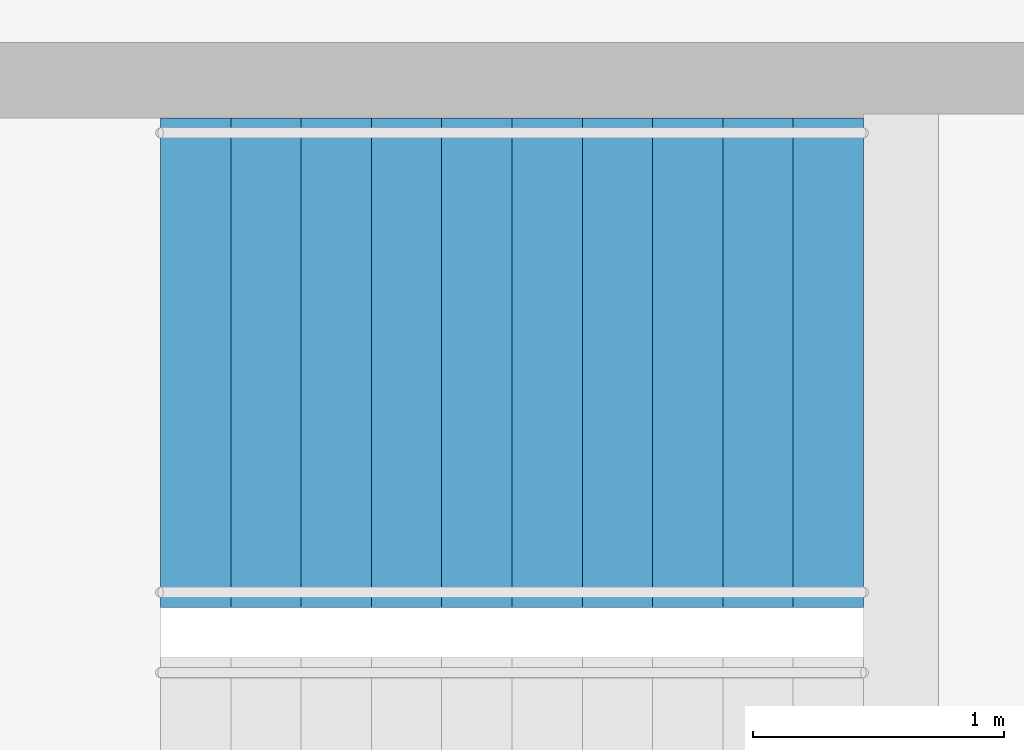
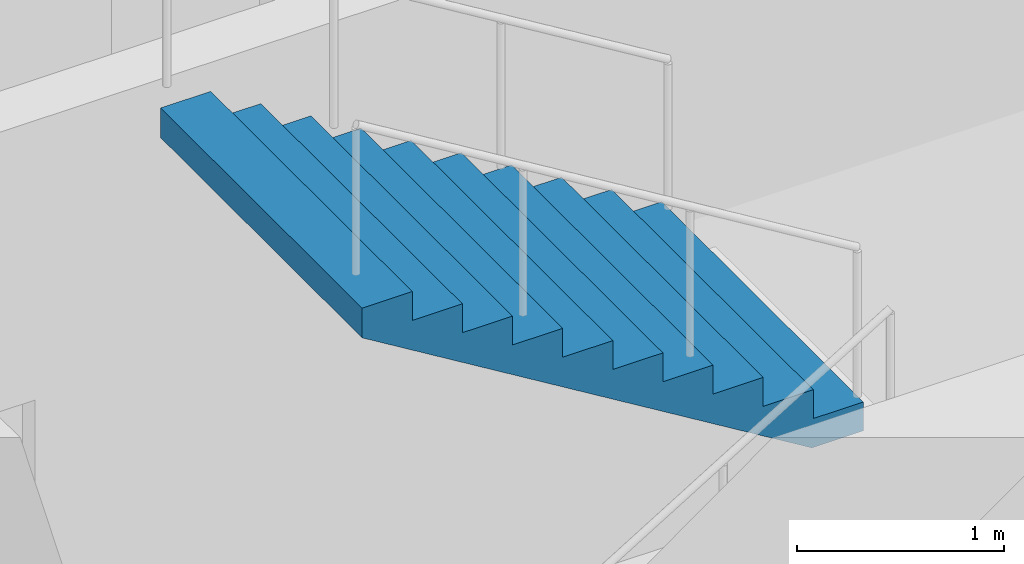
# One storey, part 20 of 23: 1 stair flight, 1 element without a shape of its own.
"""IFC4 building model written with IfcOpenShell, lengths in metres."""

from ifc_helpers import new_model, si_unit, direction, frame, origin, place, context, subcontext, project, spatial, triangles, material, type_object, element, aggregate, save


model = new_model("IFC4")

# Units and contexts
model_context = context("Model", 3, precision=1e-05, world=origin(), true_north=direction((0.0, 1.0)))
body_context = subcontext(model_context, "Body", "Model", "MODEL_VIEW")
ifc_project = project(units=[si_unit("LENGTHUNIT", "METRE"), si_unit("AREAUNIT", "SQUARE_METRE"), si_unit("VOLUMEUNIT", "CUBIC_METRE"), si_unit("PLANEANGLEUNIT", "RADIAN"), si_unit("MASSUNIT", "GRAM", prefix="KILO")], contexts=[model_context])

# Site, building, storey
site_placement = place(None, origin())
site = spatial("IfcSite", under=ifc_project, at=site_placement, CompositionType="ELEMENT")
building_placement = place(site_placement, origin())
building = spatial("IfcBuilding", under=site, at=building_placement, Name="Orbita Commons", CompositionType="ELEMENT")
storey_placement = place(building_placement, frame((0.0, 0.0, 224.050048828125)))
storey = spatial("IfcBuildingStorey", under=building, at=storey_placement, Name="L55", CompositionType="ELEMENT", Elevation=224.050048828125)

# Stair, stair flight
ifc_material_1 = material(Name="Precast concrete C40/50", Category="concrete")
stair_type = type_object("IfcStairType", Name="Exit stair S1 2 flights 11 risers 170", PredefinedType="HALF_TURN_STAIR", material=ifc_material_1)
stair_placement = place(storey_placement, origin())
stair = element("IfcStair", 1, at=stair_placement, inside=storey, type_object=stair_type, Name="Exit stair S1 L55", PredefinedType="HALF_TURN_STAIR")
ifc_material_2 = material(Name="Precast concrete C40/50", Category="concrete")
stair_flight_type = type_object("IfcStairFlightType", Name="Stair flight 11 risers 170 x 280", PredefinedType="STRAIGHT", material=ifc_material_2)
stair_flight_placement = place(storey_placement, frame((23.25, 29.27490234375, 1.875), z_axis=(0.0, 0.0, 1.0), x_axis=(-1.0, 0.0, 0.0)))
stair_flight = element("IfcStairFlight", 2, at=stair_flight_placement, type_object=stair_flight_type, Name="S1 flight 2", NumberOfRisers=11, NumberOfTreads=10, PredefinedType="STRAIGHT", RiserHeight=0.170454545, TreadLength=0.28, context=body_context, shape_type="Tessellation", body=[
    triangles([(0.0, 0.974976, 0.0), (0.0, 0.974976, 0.021307), (0.0, 0.81248, 0.021307), (0.0, 0.81248, 0.0), (0.0, 0.649984, 0.021307), (0.0, 0.649984, 0.0), (0.0, 0.487488, 0.021307), (0.0, 0.487488, 0.0), (0.0, 0.324992, 0.021307), (0.0, 0.324992, 0.0), (0.0, 0.162496, 0.021307), (0.0, 0.162496, 0.0), (0.0, 0.0, 0.021307), (0.0, 0.0, 0.0), (0.0, -0.162496, 0.021307), (0.0, -0.162496, 0.0), (0.0, -0.324992, 0.021307), (0.0, -0.324992, 0.0), (0.0, -0.487488, 0.021307), (0.0, -0.487488, 0.0), (0.0, -0.649984, 0.021307), (0.0, -0.649984, 0.0), (0.0, -0.81248, 0.021307), (0.0, -0.81248, 0.0), (0.0, -0.974976, 0.021307), (0.0, -0.974976, 0.0), (0.0, 0.974976, 0.042614), (0.0, 0.81248, 0.042614), (0.0, 0.649984, 0.042614), (0.0, 0.487488, 0.042614), (0.0, 0.324992, 0.042614), (0.0, 0.162496, 0.042614), (0.0, 0.0, 0.042614), (0.0, -0.162496, 0.042614), (0.0, -0.324992, 0.042614), (0.0, -0.487488, 0.042614), (0.0, -0.649984, 0.042614), (0.0, -0.81248, 0.042614), (0.0, -0.974976, 0.042614), (0.0, 0.974976, 0.06392), (0.0, 0.81248, 0.06392), (0.0, 0.649984, 0.06392), (0.0, 0.487488, 0.06392), (0.0, 0.324992, 0.06392), (0.0, 0.162496, 0.06392), (0.0, 0.0, 0.06392), (0.0, -0.162496, 0.06392), (0.0, -0.324992, 0.06392), (0.0, -0.487488, 0.06392), (0.0, -0.649984, 0.06392), (0.0, -0.81248, 0.06392), (0.0, -0.974976, 0.06392), (0.0, 0.974976, 0.085227), (0.0, 0.81248, 0.085227), (0.0, 0.649984, 0.085227), (0.0, 0.487488, 0.085227), (0.0, 0.324992, 0.085227), (0.0, 0.162496, 0.085227), (0.0, 0.0, 0.085227), (0.0, -0.162496, 0.085227), (0.0, -0.324992, 0.085227), (0.0, -0.487488, 0.085227), (0.0, -0.649984, 0.085227), (0.0, -0.81248, 0.085227), (0.0, -0.974976, 0.085227), (0.0, 0.974976, 0.106534), (0.0, 0.81248, 0.106534), (0.0, 0.649984, 0.106534), (0.0, 0.487488, 0.106534), (0.0, 0.324992, 0.106534), (0.0, 0.162496, 0.106534), (0.0, 0.0, 0.106534), (0.0, -0.162496, 0.106534), (0.0, -0.324992, 0.106534), (0.0, -0.487488, 0.106534), (0.0, -0.649984, 0.106534), (0.0, -0.81248, 0.106534), (0.0, -0.974976, 0.106534), (0.0, 0.974976, 0.127841), (0.0, 0.81248, 0.127841), (0.0, 0.649984, 0.127841), (0.0, 0.487488, 0.127841), (0.0, 0.324992, 0.127841), (0.0, 0.162496, 0.127841), (0.0, 0.0, 0.127841), (0.0, -0.162496, 0.127841), (0.0, -0.324992, 0.127841), (0.0, -0.487488, 0.127841), (0.0, -0.649984, 0.127841), (0.0, -0.81248, 0.127841), (0.0, -0.974976, 0.127841), (0.0, 0.974976, 0.149148), (0.0, 0.81248, 0.149148), (0.0, 0.649984, 0.149148), (0.0, 0.487488, 0.149148), (0.0, 0.324992, 0.149148), (0.0, 0.162496, 0.149148), (0.0, 0.0, 0.149148), (0.0, -0.162496, 0.149148), (0.0, -0.324992, 0.149148), (0.0, -0.487488, 0.149148), (0.0, -0.649984, 0.149148), (0.0, -0.81248, 0.149148), (0.0, -0.974976, 0.149148), (0.0, 0.974976, 0.170455), (0.0, 0.81248, 0.170455), (0.0, 0.649984, 0.170455), (0.0, 0.487488, 0.170455), (0.0, 0.324992, 0.170455), (0.0, 0.162496, 0.170455), (0.0, 0.0, 0.170455), (0.0, -0.162496, 0.170455), (0.0, -0.324992, 0.170455), (0.0, -0.487488, 0.170455), (0.0, -0.649984, 0.170455), (0.0, -0.81248, 0.170455), (0.0, -0.974976, 0.170455), (0.28, 0.974976, 0.170455), (0.28, 0.81248, 0.170455), (0.28, 0.649984, 0.170455), (0.28, 0.487488, 0.170455), (0.28, 0.324992, 0.170455), (0.28, 0.162496, 0.170455), (0.28, 0.0, 0.170455), (0.28, -0.162496, 0.170455), (0.28, -0.324992, 0.170455), (0.28, -0.487488, 0.170455), (0.28, -0.649984, 0.170455), (0.28, -0.81248, 0.170455), (0.28, -0.974976, 0.170455), (0.28, 0.974976, 0.340909), (0.28, 0.81248, 0.340909), (0.28, 0.649984, 0.340909), (0.28, 0.487488, 0.340909), (0.28, 0.324992, 0.340909), (0.28, 0.162496, 0.340909), (0.28, 0.0, 0.340909), (0.28, -0.162496, 0.340909), (0.28, -0.324992, 0.340909), (0.28, -0.487488, 0.340909), (0.28, -0.649984, 0.340909), (0.28, -0.81248, 0.340909), (0.28, -0.974976, 0.340909), (0.56, 0.974976, 0.340909), (0.56, 0.81248, 0.340909), (0.56, 0.649984, 0.340909), (0.56, 0.487488, 0.340909), (0.56, 0.324992, 0.340909), (0.56, 0.162496, 0.340909), (0.56, 0.0, 0.340909), (0.56, -0.162496, 0.340909), (0.56, -0.324992, 0.340909), (0.56, -0.487488, 0.340909), (0.56, -0.649984, 0.340909), (0.56, -0.81248, 0.340909), (0.56, -0.974976, 0.340909), (0.56, 0.974976, 0.511364), (0.56, 0.81248, 0.511364), (0.56, 0.649984, 0.511364), (0.56, 0.487488, 0.511364), (0.56, 0.324992, 0.511364), (0.56, 0.162496, 0.511364), (0.56, 0.0, 0.511364), (0.56, -0.162496, 0.511364), (0.56, -0.324992, 0.511364), (0.56, -0.487488, 0.511364), (0.56, -0.649984, 0.511364), (0.56, -0.81248, 0.511364), (0.56, -0.974976, 0.511364), (0.84, 0.974976, 0.511364), (0.84, 0.81248, 0.511364), (0.84, 0.649984, 0.511364), (0.84, 0.487488, 0.511364), (0.84, 0.324992, 0.511364), (0.84, 0.162496, 0.511364), (0.84, 0.0, 0.511364), (0.84, -0.162496, 0.511364), (0.84, -0.324992, 0.511364), (0.84, -0.487488, 0.511364), (0.84, -0.649984, 0.511364), (0.84, -0.81248, 0.511364), (0.84, -0.974976, 0.511364), (0.84, 0.974976, 0.681818), (0.84, 0.81248, 0.681818), (0.84, 0.649984, 0.681818), (0.84, 0.487488, 0.681818), (0.84, 0.324992, 0.681818), (0.84, 0.162496, 0.681818), (0.84, 0.0, 0.681818), (0.84, -0.162496, 0.681818), (0.84, -0.324992, 0.681818), (0.84, -0.487488, 0.681818), (0.84, -0.649984, 0.681818), (0.84, -0.81248, 0.681818), (0.84, -0.974976, 0.681818), (1.12, 0.974976, 0.681818), (1.12, 0.81248, 0.681818), (1.12, 0.649984, 0.681818), (1.12, 0.487488, 0.681818), (1.12, 0.324992, 0.681818), (1.12, 0.162496, 0.681818), (1.12, 0.0, 0.681818), (1.12, -0.162496, 0.681818), (1.12, -0.324992, 0.681818), (1.12, -0.487488, 0.681818), (1.12, -0.649984, 0.681818), (1.12, -0.81248, 0.681818), (1.12, -0.974976, 0.681818), (1.12, 0.974976, 0.852273), (1.12, 0.81248, 0.852273), (1.12, 0.649984, 0.852273), (1.12, 0.487488, 0.852273), (1.12, 0.324992, 0.852273), (1.12, 0.162496, 0.852273), (1.12, 0.0, 0.852273), (1.12, -0.162496, 0.852273), (1.12, -0.324992, 0.852273), (1.12, -0.487488, 0.852273), (1.12, -0.649984, 0.852273), (1.12, -0.81248, 0.852273), (1.12, -0.974976, 0.852273), (1.4, 0.974976, 0.852273), (1.4, 0.81248, 0.852273), (1.4, 0.649984, 0.852273), (1.4, 0.487488, 0.852273), (1.4, 0.324992, 0.852273), (1.4, 0.162496, 0.852273), (1.4, 0.0, 0.852273), (1.4, -0.162496, 0.852273), (1.4, -0.324992, 0.852273), (1.4, -0.487488, 0.852273), (1.4, -0.649984, 0.852273), (1.4, -0.81248, 0.852273), (1.4, -0.974976, 0.852273), (1.4, 0.974976, 1.022727), (1.4, 0.81248, 1.022727), (1.4, 0.649984, 1.022727), (1.4, 0.487488, 1.022727), (1.4, 0.324992, 1.022727), (1.4, 0.162496, 1.022727), (1.4, 0.0, 1.022727), (1.4, -0.162496, 1.022727), (1.4, -0.324992, 1.022727), (1.4, -0.487488, 1.022727), (1.4, -0.649984, 1.022727), (1.4, -0.81248, 1.022727), (1.4, -0.974976, 1.022727), (1.68, 0.974976, 1.022727), (1.68, 0.81248, 1.022727), (1.68, 0.649984, 1.022727), (1.68, 0.487488, 1.022727), (1.68, 0.324992, 1.022727), (1.68, 0.162496, 1.022727), (1.68, 0.0, 1.022727), (1.68, -0.162496, 1.022727), (1.68, -0.324992, 1.022727), (1.68, -0.487488, 1.022727), (1.68, -0.649984, 1.022727), (1.68, -0.81248, 1.022727), (1.68, -0.974976, 1.022727), (1.68, 0.974976, 1.193182), (1.68, 0.81248, 1.193182), (1.68, 0.649984, 1.193182), (1.68, 0.487488, 1.193182), (1.68, 0.324992, 1.193182), (1.68, 0.162496, 1.193182), (1.68, 0.0, 1.193182), (1.68, -0.162496, 1.193182), (1.68, -0.324992, 1.193182), (1.68, -0.487488, 1.193182), (1.68, -0.649984, 1.193182), (1.68, -0.81248, 1.193182), (1.68, -0.974976, 1.193182), (1.96, 0.974976, 1.193182), (1.96, 0.81248, 1.193182), (1.96, 0.649984, 1.193182), (1.96, 0.487488, 1.193182), (1.96, 0.324992, 1.193182), (1.96, 0.162496, 1.193182), (1.96, 0.0, 1.193182), (1.96, -0.162496, 1.193182), (1.96, -0.324992, 1.193182), (1.96, -0.487488, 1.193182), (1.96, -0.649984, 1.193182), (1.96, -0.81248, 1.193182), (1.96, -0.974976, 1.193182), (1.96, 0.974976, 1.363636), (1.96, 0.81248, 1.363636), (1.96, 0.649984, 1.363636), (1.96, 0.487488, 1.363636), (1.96, 0.324992, 1.363636), (1.96, 0.162496, 1.363636), (1.96, 0.0, 1.363636), (1.96, -0.162496, 1.363636), (1.96, -0.324992, 1.363636), (1.96, -0.487488, 1.363636), (1.96, -0.649984, 1.363636), (1.96, -0.81248, 1.363636), (1.96, -0.974976, 1.363636), (2.24, 0.974976, 1.363636), (2.24, 0.81248, 1.363636), (2.24, 0.649984, 1.363636), (2.24, 0.487488, 1.363636), (2.24, 0.324992, 1.363636), (2.24, 0.162496, 1.363636), (2.24, 0.0, 1.363636), (2.24, -0.162496, 1.363636), (2.24, -0.324992, 1.363636), (2.24, -0.487488, 1.363636), (2.24, -0.649984, 1.363636), (2.24, -0.81248, 1.363636), (2.24, -0.974976, 1.363636), (2.24, 0.974976, 1.534091), (2.24, 0.81248, 1.534091), (2.24, 0.649984, 1.534091), (2.24, 0.487488, 1.534091), (2.24, 0.324992, 1.534091), (2.24, 0.162496, 1.534091), (2.24, 0.0, 1.534091), (2.24, -0.162496, 1.534091), (2.24, -0.324992, 1.534091), (2.24, -0.487488, 1.534091), (2.24, -0.649984, 1.534091), (2.24, -0.81248, 1.534091), (2.24, -0.974976, 1.534091), (2.52, 0.974976, 1.534091), (2.52, 0.81248, 1.534091), (2.52, 0.649984, 1.534091), (2.52, 0.487488, 1.534091), (2.52, 0.324992, 1.534091), (2.52, 0.162496, 1.534091), (2.52, 0.0, 1.534091), (2.52, -0.162496, 1.534091), (2.52, -0.324992, 1.534091), (2.52, -0.487488, 1.534091), (2.52, -0.649984, 1.534091), (2.52, -0.81248, 1.534091), (2.52, -0.974976, 1.534091), (2.52, 0.974976, 1.704545), (2.52, 0.81248, 1.704545), (2.52, 0.649984, 1.704545), (2.52, 0.487488, 1.704545), (2.52, 0.324992, 1.704545), (2.52, 0.162496, 1.704545), (2.52, 0.0, 1.704545), (2.52, -0.162496, 1.704545), (2.52, -0.324992, 1.704545), (2.52, -0.487488, 1.704545), (2.52, -0.649984, 1.704545), (2.52, -0.81248, 1.704545), (2.52, -0.974976, 1.704545), (2.8, 0.974976, 1.704545), (2.8, 0.81248, 1.704545), (2.8, 0.649984, 1.704545), (2.8, 0.487488, 1.704545), (2.8, 0.324992, 1.704545), (2.8, 0.162496, 1.704545), (2.8, 0.0, 1.704545), (2.8, -0.162496, 1.704545), (2.8, -0.324992, 1.704545), (2.8, -0.487488, 1.704545), (2.8, -0.649984, 1.704545), (2.8, -0.81248, 1.704545), (2.8, -0.974976, 1.704545), (2.8, 0.974976, 1.682609), (2.8, 0.81248, 1.682609), (2.8, 0.649984, 1.682609), (2.8, 0.487488, 1.682609), (2.8, 0.324992, 1.682609), (2.8, 0.162496, 1.682609), (2.8, 0.0, 1.682609), (2.8, -0.162496, 1.682609), (2.8, -0.324992, 1.682609), (2.8, -0.487488, 1.682609), (2.8, -0.649984, 1.682609), (2.8, -0.81248, 1.682609), (2.8, -0.974976, 1.682609), (2.8, 0.974976, 1.660672), (2.8, 0.81248, 1.660672), (2.8, 0.649984, 1.660672), (2.8, 0.487488, 1.660672), (2.8, 0.324992, 1.660672), (2.8, 0.162496, 1.660672), (2.8, 0.0, 1.660672), (2.8, -0.162496, 1.660672), (2.8, -0.324992, 1.660672), (2.8, -0.487488, 1.660672), (2.8, -0.649984, 1.660672), (2.8, -0.81248, 1.660672), (2.8, -0.974976, 1.660672), (2.8, 0.974976, 1.638735), (2.8, 0.81248, 1.638735), (2.8, 0.649984, 1.638735), (2.8, 0.487488, 1.638735), (2.8, 0.324992, 1.638735), (2.8, 0.162496, 1.638735), (2.8, 0.0, 1.638735), (2.8, -0.162496, 1.638735), (2.8, -0.324992, 1.638735), (2.8, -0.487488, 1.638735), (2.8, -0.649984, 1.638735), (2.8, -0.81248, 1.638735), (2.8, -0.974976, 1.638735), (2.8, 0.974976, 1.616798), (2.8, 0.81248, 1.616798), (2.8, 0.649984, 1.616798), (2.8, 0.487488, 1.616798), (2.8, 0.324992, 1.616798), (2.8, 0.162496, 1.616798), (2.8, 0.0, 1.616798), (2.8, -0.162496, 1.616798), (2.8, -0.324992, 1.616798), (2.8, -0.487488, 1.616798), (2.8, -0.649984, 1.616798), (2.8, -0.81248, 1.616798), (2.8, -0.974976, 1.616798), (2.8, 0.974976, 1.594861), (2.8, 0.81248, 1.594861), (2.8, 0.649984, 1.594861), (2.8, 0.487488, 1.594861), (2.8, 0.324992, 1.594861), (2.8, 0.162496, 1.594861), (2.8, 0.0, 1.594861), (2.8, -0.162496, 1.594861), (2.8, -0.324992, 1.594861), (2.8, -0.487488, 1.594861), (2.8, -0.649984, 1.594861), (2.8, -0.81248, 1.594861), (2.8, -0.974976, 1.594861), (2.8, 0.974976, 1.572925), (2.8, 0.81248, 1.572925), (2.8, 0.649984, 1.572925), (2.8, 0.487488, 1.572925), (2.8, 0.324992, 1.572925), (2.8, 0.162496, 1.572925), (2.8, 0.0, 1.572925), (2.8, -0.162496, 1.572925), (2.8, -0.324992, 1.572925), (2.8, -0.487488, 1.572925), (2.8, -0.649984, 1.572925), (2.8, -0.81248, 1.572925), (2.8, -0.974976, 1.572925), (2.8, 0.974976, 1.550988), (2.8, 0.81248, 1.550988), (2.8, 0.649984, 1.550988), (2.8, 0.487488, 1.550988), (2.8, 0.324992, 1.550988), (2.8, 0.162496, 1.550988), (2.8, 0.0, 1.550988), (2.8, -0.162496, 1.550988), (2.8, -0.324992, 1.550988), (2.8, -0.487488, 1.550988), (2.8, -0.649984, 1.550988), (2.8, -0.81248, 1.550988), (2.8, -0.974976, 1.550988), (2.8, 0.974976, 1.529051), (2.8, 0.81248, 1.529051), (2.8, 0.649984, 1.529051), (2.8, 0.487488, 1.529051), (2.8, 0.324992, 1.529051), (2.8, 0.162496, 1.529051), (2.8, 0.0, 1.529051), (2.8, -0.162496, 1.529051), (2.8, -0.324992, 1.529051), (2.8, -0.487488, 1.529051), (2.8, -0.649984, 1.529051), (2.8, -0.81248, 1.529051), (2.8, -0.974976, 1.529051), (0.288279, 0.974976, 0.0), (0.288279, 0.81248, 0.0), (0.288279, 0.649984, 0.0), (0.288279, 0.487488, 0.0), (0.288279, 0.324992, 0.0), (0.288279, 0.162496, 0.0), (0.288279, 0.0, 0.0), (0.288279, -0.162496, 0.0), (0.288279, -0.324992, 0.0), (0.288279, -0.487488, 0.0), (0.288279, -0.649984, 0.0), (0.288279, -0.81248, 0.0), (0.288279, -0.974976, 0.0)], [[3, 2, 1], [4, 3, 1], [5, 3, 4], [6, 5, 4], [7, 5, 6], [8, 7, 6], [9, 7, 8], [10, 9, 8], [11, 9, 10], [12, 11, 10], [13, 11, 12], [14, 13, 12], [15, 13, 14], [16, 15, 14], [17, 15, 16], [18, 17, 16], [19, 17, 18], [20, 19, 18], [21, 19, 20], [22, 21, 20], [23, 21, 22], [24, 23, 22], [25, 23, 24], [26, 25, 24], [28, 27, 2], [3, 28, 2], [29, 28, 3], [5, 29, 3], [30, 29, 5], [7, 30, 5], [31, 30, 7], [9, 31, 7], [32, 31, 9], [11, 32, 9], [33, 32, 11], [13, 33, 11], [34, 33, 13], [15, 34, 13], [35, 34, 15], [17, 35, 15], [36, 35, 17], [19, 36, 17], [37, 36, 19], [21, 37, 19], [38, 37, 21], [23, 38, 21], [39, 38, 23], [25, 39, 23], [41, 40, 27], [28, 41, 27], [42, 41, 28], [29, 42, 28], [43, 42, 29], [30, 43, 29], [44, 43, 30], [31, 44, 30], [45, 44, 31], [32, 45, 31], [46, 45, 32], [33, 46, 32], [47, 46, 33], [34, 47, 33], [48, 47, 34], [35, 48, 34], [49, 48, 35], [36, 49, 35], [50, 49, 36], [37, 50, 36], [51, 50, 37], [38, 51, 37], [52, 51, 38], [39, 52, 38], [54, 53, 40], [41, 54, 40], [55, 54, 41], [42, 55, 41], [56, 55, 42], [43, 56, 42], [57, 56, 43], [44, 57, 43], [58, 57, 44], [45, 58, 44], [59, 58, 45], [46, 59, 45], [60, 59, 46], [47, 60, 46], [61, 60, 47], [48, 61, 47], [62, 61, 48], [49, 62, 48], [63, 62, 49], [50, 63, 49], [64, 63, 50], [51, 64, 50], [65, 64, 51], [52, 65, 51], [67, 66, 53], [54, 67, 53], [68, 67, 54], [55, 68, 54], [69, 68, 55], [56, 69, 55], [70, 69, 56], [57, 70, 56], [71, 70, 57], [58, 71, 57], [72, 71, 58], [59, 72, 58], [73, 72, 59], [60, 73, 59], [74, 73, 60], [61, 74, 60], [75, 74, 61], [62, 75, 61], [76, 75, 62], [63, 76, 62], [77, 76, 63], [64, 77, 63], [78, 77, 64], [65, 78, 64], [80, 79, 66], [67, 80, 66], [81, 80, 67], [68, 81, 67], [82, 81, 68], [69, 82, 68], [83, 82, 69], [70, 83, 69], [84, 83, 70], [71, 84, 70], [85, 84, 71], [72, 85, 71], [86, 85, 72], [73, 86, 72], [87, 86, 73], [74, 87, 73], [88, 87, 74], [75, 88, 74], [89, 88, 75], [76, 89, 75], [90, 89, 76], [77, 90, 76], [91, 90, 77], [78, 91, 77], [93, 92, 79], [80, 93, 79], [94, 93, 80], [81, 94, 80], [95, 94, 81], [82, 95, 81], [96, 95, 82], [83, 96, 82], [97, 96, 83], [84, 97, 83], [98, 97, 84], [85, 98, 84], [99, 98, 85], [86, 99, 85], [100, 99, 86], [87, 100, 86], [101, 100, 87], [88, 101, 87], [102, 101, 88], [89, 102, 88], [103, 102, 89], [90, 103, 89], [104, 103, 90], [91, 104, 90], [106, 105, 92], [93, 106, 92], [107, 106, 93], [94, 107, 93], [108, 107, 94], [95, 108, 94], [109, 108, 95], [96, 109, 95], [110, 109, 96], [97, 110, 96], [111, 110, 97], [98, 111, 97], [112, 111, 98], [99, 112, 98], [113, 112, 99], [100, 113, 99], [114, 113, 100], [101, 114, 100], [115, 114, 101], [102, 115, 101], [116, 115, 102], [103, 116, 102], [117, 116, 103], [104, 117, 103], [119, 118, 105], [106, 119, 105], [120, 119, 106], [107, 120, 106], [121, 120, 107], [108, 121, 107], [122, 121, 108], [109, 122, 108], [123, 122, 109], [110, 123, 109], [124, 123, 110], [111, 124, 110], [125, 124, 111], [112, 125, 111], [126, 125, 112], [113, 126, 112], [127, 126, 113], [114, 127, 113], [128, 127, 114], [115, 128, 114], [129, 128, 115], [116, 129, 115], [130, 129, 116], [117, 130, 116], [132, 131, 118], [119, 132, 118], [133, 132, 119], [120, 133, 119], [134, 133, 120], [121, 134, 120], [135, 134, 121], [122, 135, 121], [136, 135, 122], [123, 136, 122], [137, 136, 123], [124, 137, 123], [138, 137, 124], [125, 138, 124], [139, 138, 125], [126, 139, 125], [140, 139, 126], [127, 140, 126], [141, 140, 127], [128, 141, 127], [142, 141, 128], [129, 142, 128], [143, 142, 129], [130, 143, 129], [145, 144, 131], [132, 145, 131], [146, 145, 132], [133, 146, 132], [147, 146, 133], [134, 147, 133], [148, 147, 134], [135, 148, 134], [149, 148, 135], [136, 149, 135], [150, 149, 136], [137, 150, 136], [151, 150, 137], [138, 151, 137], [152, 151, 138], [139, 152, 138], [153, 152, 139], [140, 153, 139], [154, 153, 140], [141, 154, 140], [155, 154, 141], [142, 155, 141], [156, 155, 142], [143, 156, 142], [158, 157, 144], [145, 158, 144], [159, 158, 145], [146, 159, 145], [160, 159, 146], [147, 160, 146], [161, 160, 147], [148, 161, 147], [162, 161, 148], [149, 162, 148], [163, 162, 149], [150, 163, 149], [164, 163, 150], [151, 164, 150], [165, 164, 151], [152, 165, 151], [166, 165, 152], [153, 166, 152], [167, 166, 153], [154, 167, 153], [168, 167, 154], [155, 168, 154], [169, 168, 155], [156, 169, 155], [171, 170, 157], [158, 171, 157], [172, 171, 158], [159, 172, 158], [173, 172, 159], [160, 173, 159], [174, 173, 160], [161, 174, 160], [175, 174, 161], [162, 175, 161], [176, 175, 162], [163, 176, 162], [177, 176, 163], [164, 177, 163], [178, 177, 164], [165, 178, 164], [179, 178, 165], [166, 179, 165], [180, 179, 166], [167, 180, 166], [181, 180, 167], [168, 181, 167], [182, 181, 168], [169, 182, 168], [184, 183, 170], [171, 184, 170], [185, 184, 171], [172, 185, 171], [186, 185, 172], [173, 186, 172], [187, 186, 173], [174, 187, 173], [188, 187, 174], [175, 188, 174], [189, 188, 175], [176, 189, 175], [190, 189, 176], [177, 190, 176], [191, 190, 177], [178, 191, 177], [192, 191, 178], [179, 192, 178], [193, 192, 179], [180, 193, 179], [194, 193, 180], [181, 194, 180], [195, 194, 181], [182, 195, 181], [197, 196, 183], [184, 197, 183], [198, 197, 184], [185, 198, 184], [199, 198, 185], [186, 199, 185], [200, 199, 186], [187, 200, 186], [201, 200, 187], [188, 201, 187], [202, 201, 188], [189, 202, 188], [203, 202, 189], [190, 203, 189], [204, 203, 190], [191, 204, 190], [205, 204, 191], [192, 205, 191], [206, 205, 192], [193, 206, 192], [207, 206, 193], [194, 207, 193], [208, 207, 194], [195, 208, 194], [210, 209, 196], [197, 210, 196], [211, 210, 197], [198, 211, 197], [212, 211, 198], [199, 212, 198], [213, 212, 199], [200, 213, 199], [214, 213, 200], [201, 214, 200], [215, 214, 201], [202, 215, 201], [216, 215, 202], [203, 216, 202], [217, 216, 203], [204, 217, 203], [218, 217, 204], [205, 218, 204], [219, 218, 205], [206, 219, 205], [220, 219, 206], [207, 220, 206], [221, 220, 207], [208, 221, 207], [223, 222, 209], [210, 223, 209], [224, 223, 210], [211, 224, 210], [225, 224, 211], [212, 225, 211], [226, 225, 212], [213, 226, 212], [227, 226, 213], [214, 227, 213], [228, 227, 214], [215, 228, 214], [229, 228, 215], [216, 229, 215], [230, 229, 216], [217, 230, 216], [231, 230, 217], [218, 231, 217], [232, 231, 218], [219, 232, 218], [233, 232, 219], [220, 233, 219], [234, 233, 220], [221, 234, 220], [236, 235, 222], [223, 236, 222], [237, 236, 223], [224, 237, 223], [238, 237, 224], [225, 238, 224], [239, 238, 225], [226, 239, 225], [240, 239, 226], [227, 240, 226], [241, 240, 227], [228, 241, 227], [242, 241, 228], [229, 242, 228], [243, 242, 229], [230, 243, 229], [244, 243, 230], [231, 244, 230], [245, 244, 231], [232, 245, 231], [246, 245, 232], [233, 246, 232], [247, 246, 233], [234, 247, 233], [249, 248, 235], [236, 249, 235], [250, 249, 236], [237, 250, 236], [251, 250, 237], [238, 251, 237], [252, 251, 238], [239, 252, 238], [253, 252, 239], [240, 253, 239], [254, 253, 240], [241, 254, 240], [255, 254, 241], [242, 255, 241], [256, 255, 242], [243, 256, 242], [257, 256, 243], [244, 257, 243], [258, 257, 244], [245, 258, 244], [259, 258, 245], [246, 259, 245], [260, 259, 246], [247, 260, 246], [262, 261, 248], [249, 262, 248], [263, 262, 249], [250, 263, 249], [264, 263, 250], [251, 264, 250], [265, 264, 251], [252, 265, 251], [266, 265, 252], [253, 266, 252], [267, 266, 253], [254, 267, 253], [268, 267, 254], [255, 268, 254], [269, 268, 255], [256, 269, 255], [270, 269, 256], [257, 270, 256], [271, 270, 257], [258, 271, 257], [272, 271, 258], [259, 272, 258], [273, 272, 259], [260, 273, 259], [275, 274, 261], [262, 275, 261], [276, 275, 262], [263, 276, 262], [277, 276, 263], [264, 277, 263], [278, 277, 264], [265, 278, 264], [279, 278, 265], [266, 279, 265], [280, 279, 266], [267, 280, 266], [281, 280, 267], [268, 281, 267], [282, 281, 268], [269, 282, 268], [283, 282, 269], [270, 283, 269], [284, 283, 270], [271, 284, 270], [285, 284, 271], [272, 285, 271], [286, 285, 272], [273, 286, 272], [288, 287, 274], [275, 288, 274], [289, 288, 275], [276, 289, 275], [290, 289, 276], [277, 290, 276], [291, 290, 277], [278, 291, 277], [292, 291, 278], [279, 292, 278], [293, 292, 279], [280, 293, 279], [294, 293, 280], [281, 294, 280], [295, 294, 281], [282, 295, 281], [296, 295, 282], [283, 296, 282], [297, 296, 283], [284, 297, 283], [298, 297, 284], [285, 298, 284], [299, 298, 285], [286, 299, 285], [301, 300, 287], [288, 301, 287], [302, 301, 288], [289, 302, 288], [303, 302, 289], [290, 303, 289], [304, 303, 290], [291, 304, 290], [305, 304, 291], [292, 305, 291], [306, 305, 292], [293, 306, 292], [307, 306, 293], [294, 307, 293], [308, 307, 294], [295, 308, 294], [309, 308, 295], [296, 309, 295], [310, 309, 296], [297, 310, 296], [311, 310, 297], [298, 311, 297], [312, 311, 298], [299, 312, 298], [314, 313, 300], [301, 314, 300], [315, 314, 301], [302, 315, 301], [316, 315, 302], [303, 316, 302], [317, 316, 303], [304, 317, 303], [318, 317, 304], [305, 318, 304], [319, 318, 305], [306, 319, 305], [320, 319, 306], [307, 320, 306], [321, 320, 307], [308, 321, 307], [322, 321, 308], [309, 322, 308], [323, 322, 309], [310, 323, 309], [324, 323, 310], [311, 324, 310], [325, 324, 311], [312, 325, 311], [327, 326, 313], [314, 327, 313], [328, 327, 314], [315, 328, 314], [329, 328, 315], [316, 329, 315], [330, 329, 316], [317, 330, 316], [331, 330, 317], [318, 331, 317], [332, 331, 318], [319, 332, 318], [333, 332, 319], [320, 333, 319], [334, 333, 320], [321, 334, 320], [335, 334, 321], [322, 335, 321], [336, 335, 322], [323, 336, 322], [337, 336, 323], [324, 337, 323], [338, 337, 324], [325, 338, 324], [340, 339, 326], [327, 340, 326], [341, 340, 327], [328, 341, 327], [342, 341, 328], [329, 342, 328], [343, 342, 329], [330, 343, 329], [344, 343, 330], [331, 344, 330], [345, 344, 331], [332, 345, 331], [346, 345, 332], [333, 346, 332], [347, 346, 333], [334, 347, 333], [348, 347, 334], [335, 348, 334], [349, 348, 335], [336, 349, 335], [350, 349, 336], [337, 350, 336], [351, 350, 337], [338, 351, 337], [353, 352, 339], [340, 353, 339], [354, 353, 340], [341, 354, 340], [355, 354, 341], [342, 355, 341], [356, 355, 342], [343, 356, 342], [357, 356, 343], [344, 357, 343], [358, 357, 344], [345, 358, 344], [359, 358, 345], [346, 359, 345], [360, 359, 346], [347, 360, 346], [361, 360, 347], [348, 361, 347], [362, 361, 348], [349, 362, 348], [363, 362, 349], [350, 363, 349], [364, 363, 350], [351, 364, 350], [366, 365, 352], [353, 366, 352], [367, 366, 353], [354, 367, 353], [368, 367, 354], [355, 368, 354], [369, 368, 355], [356, 369, 355], [370, 369, 356], [357, 370, 356], [371, 370, 357], [358, 371, 357], [372, 371, 358], [359, 372, 358], [373, 372, 359], [360, 373, 359], [374, 373, 360], [361, 374, 360], [375, 374, 361], [362, 375, 361], [376, 375, 362], [363, 376, 362], [377, 376, 363], [364, 377, 363], [379, 378, 365], [366, 379, 365], [380, 379, 366], [367, 380, 366], [381, 380, 367], [368, 381, 367], [382, 381, 368], [369, 382, 368], [383, 382, 369], [370, 383, 369], [384, 383, 370], [371, 384, 370], [385, 384, 371], [372, 385, 371], [386, 385, 372], [373, 386, 372], [387, 386, 373], [374, 387, 373], [388, 387, 374], [375, 388, 374], [389, 388, 375], [376, 389, 375], [390, 389, 376], [377, 390, 376], [392, 391, 378], [379, 392, 378], [393, 392, 379], [380, 393, 379], [394, 393, 380], [381, 394, 380], [395, 394, 381], [382, 395, 381], [396, 395, 382], [383, 396, 382], [397, 396, 383], [384, 397, 383], [398, 397, 384], [385, 398, 384], [399, 398, 385], [386, 399, 385], [400, 399, 386], [387, 400, 386], [401, 400, 387], [388, 401, 387], [402, 401, 388], [389, 402, 388], [403, 402, 389], [390, 403, 389], [405, 404, 391], [392, 405, 391], [406, 405, 392], [393, 406, 392], [407, 406, 393], [394, 407, 393], [408, 407, 394], [395, 408, 394], [409, 408, 395], [396, 409, 395], [410, 409, 396], [397, 410, 396], [411, 410, 397], [398, 411, 397], [412, 411, 398], [399, 412, 398], [413, 412, 399], [400, 413, 399], [414, 413, 400], [401, 414, 400], [415, 414, 401], [402, 415, 401], [416, 415, 402], [403, 416, 402], [418, 417, 404], [405, 418, 404], [419, 418, 405], [406, 419, 405], [420, 419, 406], [407, 420, 406], [421, 420, 407], [408, 421, 407], [422, 421, 408], [409, 422, 408], [423, 422, 409], [410, 423, 409], [424, 423, 410], [411, 424, 410], [425, 424, 411], [412, 425, 411], [426, 425, 412], [413, 426, 412], [427, 426, 413], [414, 427, 413], [428, 427, 414], [415, 428, 414], [429, 428, 415], [416, 429, 415], [431, 430, 417], [418, 431, 417], [432, 431, 418], [419, 432, 418], [433, 432, 419], [420, 433, 419], [434, 433, 420], [421, 434, 420], [435, 434, 421], [422, 435, 421], [436, 435, 422], [423, 436, 422], [437, 436, 423], [424, 437, 423], [438, 437, 424], [425, 438, 424], [439, 438, 425], [426, 439, 425], [440, 439, 426], [427, 440, 426], [441, 440, 427], [428, 441, 427], [442, 441, 428], [429, 442, 428], [444, 443, 430], [431, 444, 430], [445, 444, 431], [432, 445, 431], [446, 445, 432], [433, 446, 432], [447, 446, 433], [434, 447, 433], [448, 447, 434], [435, 448, 434], [449, 448, 435], [436, 449, 435], [450, 449, 436], [437, 450, 436], [451, 450, 437], [438, 451, 437], [452, 451, 438], [439, 452, 438], [453, 452, 439], [440, 453, 439], [454, 453, 440], [441, 454, 440], [455, 454, 441], [442, 455, 441], [457, 456, 443], [444, 457, 443], [458, 457, 444], [445, 458, 444], [459, 458, 445], [446, 459, 445], [460, 459, 446], [447, 460, 446], [461, 460, 447], [448, 461, 447], [462, 461, 448], [449, 462, 448], [463, 462, 449], [450, 463, 449], [464, 463, 450], [451, 464, 450], [465, 464, 451], [452, 465, 451], [466, 465, 452], [453, 466, 452], [467, 466, 453], [454, 467, 453], [468, 467, 454], [455, 468, 454], [470, 469, 456], [457, 470, 456], [471, 470, 457], [458, 471, 457], [472, 471, 458], [459, 472, 458], [473, 472, 459], [460, 473, 459], [474, 473, 460], [461, 474, 460], [475, 474, 461], [462, 475, 461], [476, 475, 462], [463, 476, 462], [477, 476, 463], [464, 477, 463], [478, 477, 464], [465, 478, 464], [479, 478, 465], [466, 479, 465], [480, 479, 466], [467, 480, 466], [481, 480, 467], [468, 481, 467], [4, 1, 469], [470, 4, 469], [6, 4, 470], [471, 6, 470], [8, 6, 471], [472, 8, 471], [10, 8, 472], [473, 10, 472], [12, 10, 473], [474, 12, 473], [14, 12, 474], [475, 14, 474], [16, 14, 475], [476, 16, 475], [18, 16, 476], [477, 18, 476], [20, 18, 477], [478, 20, 477], [22, 20, 478], [479, 22, 478], [24, 22, 479], [480, 24, 479], [26, 24, 480], [481, 26, 480], [456, 469, 1], [26, 481, 468], [443, 456, 1], [26, 468, 455], [430, 443, 1], [26, 455, 442], [417, 430, 1], [26, 442, 429], [404, 417, 1], [26, 429, 416], [391, 404, 1], [26, 416, 403], [378, 391, 1], [26, 403, 390], [365, 378, 1], [26, 390, 377], [339, 352, 365], [377, 364, 351], [326, 339, 365], [377, 351, 338], [300, 313, 326], [338, 325, 312], [300, 326, 365], [377, 338, 312], [274, 287, 300], [312, 299, 286], [274, 300, 365], [377, 312, 286], [248, 261, 274], [286, 273, 260], [248, 274, 365], [377, 286, 260], [222, 235, 248], [260, 247, 234], [222, 248, 365], [377, 260, 234], [196, 209, 222], [234, 221, 208], [196, 222, 365], [377, 234, 208], [170, 183, 196], [208, 195, 182], [170, 196, 365], [377, 208, 182], [144, 157, 170], [182, 169, 156], [144, 170, 365], [377, 182, 156], [118, 131, 144], [156, 143, 130], [118, 144, 365], [377, 156, 130], [118, 365, 1], [26, 377, 130], [92, 105, 118], [130, 117, 104], [79, 92, 118], [130, 104, 91], [66, 79, 118], [130, 91, 78], [53, 66, 118], [130, 78, 65], [40, 53, 118], [130, 65, 52], [27, 40, 118], [130, 52, 39], [2, 27, 118], [130, 39, 25], [1, 2, 118], [130, 25, 26]], closed=True),
])
aggregate(stair, [stair_flight])

save(model, "model.ifc")
